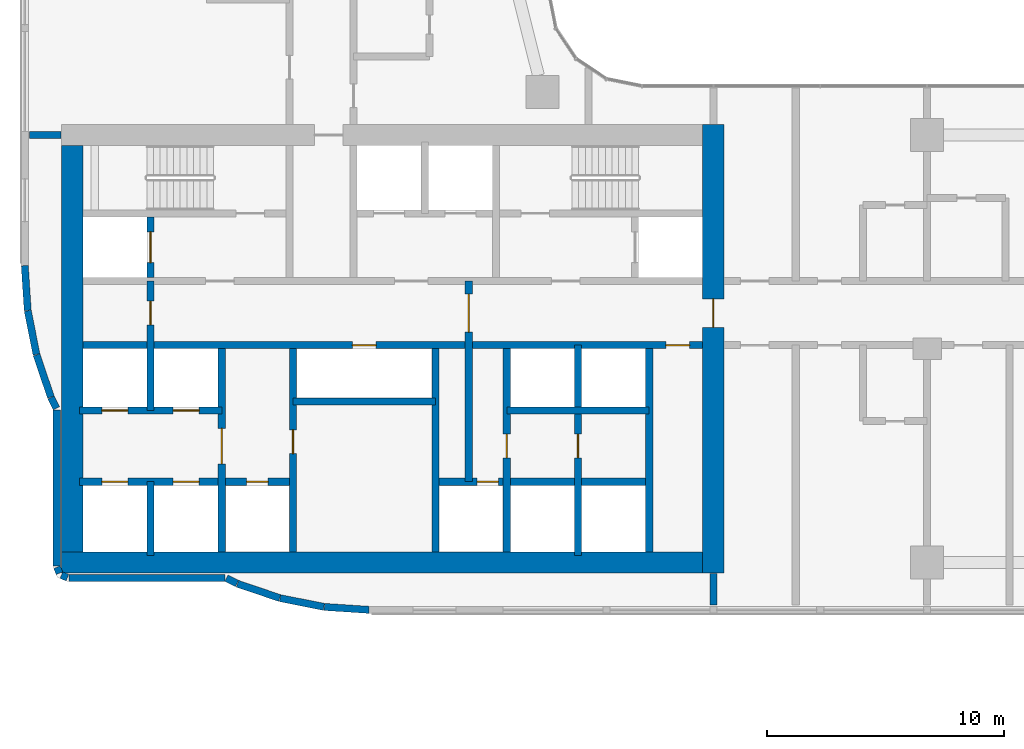
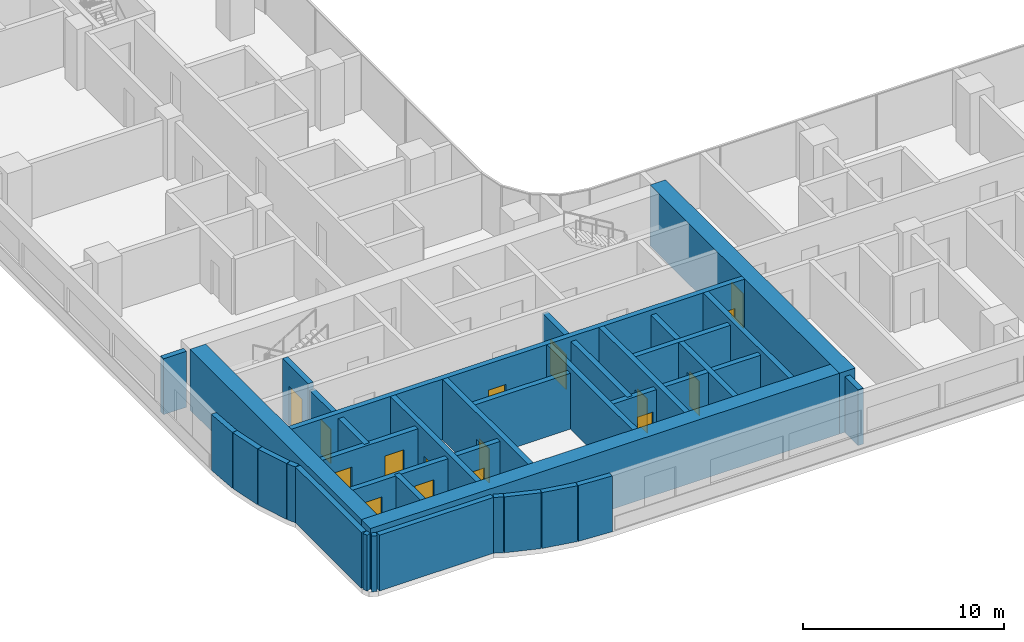
# One storey, part 16 of 32: 33 walls, 16 doors, 16 openings.
"""IFC4 building model written with IfcOpenShell, lengths in metres."""

from ifc_helpers import new_model, si_unit, direction, frame, frame_2d, origin, place, context, subcontext, project, spatial, rectangle, extrude, material, layer, layer_set, type_object, element, fill, save


model = new_model("IFC4")

# Units and contexts
model_context = context("Model", 3, precision=1e-05, world=origin(), true_north=direction((0.0, 1.0)))
body_context = subcontext(model_context, "Body", "Model", "MODEL_VIEW")
ifc_project = project(units=[si_unit("LENGTHUNIT", "METRE"), si_unit("AREAUNIT", "SQUARE_METRE"), si_unit("VOLUMEUNIT", "CUBIC_METRE"), si_unit("PLANEANGLEUNIT", "RADIAN"), si_unit("MASSUNIT", "GRAM", prefix="KILO")], contexts=[model_context])

# Site, building, storey
site_placement = place(None, origin())
site = spatial("IfcSite", under=ifc_project, at=site_placement, CompositionType="ELEMENT")
building_placement = place(site_placement, origin())
building = spatial("IfcBuilding", under=site, at=building_placement, Name="Ogive Portal Towers", CompositionType="ELEMENT")
storey_placement = place(building_placement, frame((0.0, 0.0, 59.39990234375)))
storey = spatial("IfcBuildingStorey", under=building, at=storey_placement, Name="L13", CompositionType="ELEMENT", Elevation=59.39990234375)

# Wall, opening, door
ifc_material_1 = material(Name="Concrete C60/75", Category="concrete")
ifc_layer_1 = layer(ifc_material_1, 0.300048828125)
ifc_layer_set_1 = layer_set([ifc_layer_1], Name="CORE WALL 300 C60")
wall_type_1 = type_object("IfcWallType", Name="CORE WALL 300 C60", PredefinedType="SHEAR", material=ifc_layer_set_1)
wall_1_placement = place(storey_placement, frame((37.800048828125, 21.949951171875, 0.0), z_axis=(0.0, 0.0, 1.0), x_axis=(0.0, 1.0, 0.0)))
wall_1 = element("IfcWall", 1, at=wall_1_placement, inside=storey, type_object=wall_type_1, Name="Core wall X1 L13", PredefinedType="SHEAR", context=body_context, shape_type="SweptSolid", body=[
    extrude(rectangle(XDim=8.550048828125, YDim=0.300048828125, at=frame_2d((4.27490234375, 0.0))), origin(), (0.0, 0.0, 1.0), 3.7001953125),
])
opening_1_placement = place(wall_1_placement, frame((3.699951171875, 0.0, 0.0)))
opening_1 = element("IfcOpeningElement", 2, at=opening_1_placement, cuts=wall_1, Name="Opening D03-002", PredefinedType="OPENING", context=body_context, shape_type="SweptSolid", body=[
    extrude(rectangle(XDim=1.5, YDim=2.10009765625, at=frame_2d((0.75, 1.050048828125))), frame((0.0, 0.16015625, 0.0), z_axis=(0.0, -1.0, 0.0), x_axis=(1.0, 0.0, 0.0)), (0.0, 0.0, 1.0), 0.320068359375),
])
ifc_material_2 = material(Name="Steel fire door", Category="steel")
door_type_1 = type_object("IfcDoorType", Name="DT-SWING-1500x2100-FD90S", OperationType="SINGLE_SWING_LEFT", PredefinedType="DOOR", material=ifc_material_2)
door_1_placement = place(opening_1_placement, origin())
door_1 = element("IfcDoor", 3, at=door_1_placement, inside=storey, type_object=door_type_1, Name="Door D03-002", OperationType="SINGLE_SWING_LEFT", OverallHeight=2.10009765625, OverallWidth=1.5, PredefinedType="DOOR", context=body_context, shape_type="SweptSolid", body=[
    extrude(rectangle(XDim=1.5, YDim=2.10009765625, at=frame_2d((0.75, 1.050048828125))), frame((0.0, 0.02490234375, 0.0), z_axis=(0.0, -1.0, 0.0), x_axis=(1.0, 0.0, 0.0)), (0.0, 0.0, 1.0), 0.050048828125),
])
fill(opening_1, door_1)

wall_2_placement = place(storey_placement, frame((40.800048828125, 21.949951171875, 0.0), z_axis=(0.0, 0.0, 1.0), x_axis=(0.0, 1.0, 0.0)))
wall_2 = element("IfcWall", 4, at=wall_2_placement, inside=storey, type_object=wall_type_1, Name="Core wall X2 L13", PredefinedType="SHEAR", context=body_context, shape_type="SweptSolid", body=[
    extrude(rectangle(XDim=8.550048828125, YDim=0.300048828125, at=frame_2d((4.27490234375, 0.0))), origin(), (0.0, 0.0, 1.0), 3.7001953125),
])
opening_2_placement = place(wall_2_placement, frame((4.137939453125, 0.0, 0.0)))
opening_2 = element("IfcOpeningElement", 5, at=opening_2_placement, cuts=wall_2, Name="Opening D03-022", PredefinedType="OPENING", context=body_context, shape_type="SweptSolid", body=[
    extrude(rectangle(XDim=1.0, YDim=2.10009765625, at=frame_2d((0.5, 1.050048828125))), frame((0.0, 0.16015625, 0.0), z_axis=(0.0, -1.0, 0.0), x_axis=(1.0, 0.0, 0.0)), (0.0, 0.0, 1.0), 0.320068359375),
])
door_type_2 = type_object("IfcDoorType", Name="DT-SWING-1000x2100-FD90S", OperationType="SINGLE_SWING_LEFT", PredefinedType="DOOR", material=ifc_material_2)
door_2_placement = place(opening_2_placement, origin())
door_2 = element("IfcDoor", 6, at=door_2_placement, inside=storey, type_object=door_type_2, Name="Door D03-022", OperationType="SINGLE_SWING_RIGHT", OverallHeight=2.10009765625, OverallWidth=1.0, PredefinedType="DOOR", context=body_context, shape_type="SweptSolid", body=[
    extrude(rectangle(XDim=1.0, YDim=2.10009765625, at=frame_2d((0.5, 1.050048828125))), frame((0.0, 0.02490234375, 0.0), z_axis=(0.0, -1.0, 0.0), x_axis=(1.0, 0.0, 0.0)), (0.0, 0.0, 1.0), 0.050048828125),
])
fill(opening_2, door_2)

# Wall
wall_3_placement = place(storey_placement, frame((46.800048828125, 21.949951171875, 0.0), z_axis=(0.0, 0.0, 1.0), x_axis=(0.0, 1.0, 0.0)))
element("IfcWall", 7, at=wall_3_placement, inside=storey, type_object=wall_type_1, Name="Core wall X3 L13", PredefinedType="SHEAR", context=body_context, shape_type="SweptSolid", body=[
    extrude(rectangle(XDim=8.550048828125, YDim=0.300048828125, at=frame_2d((4.27490234375, 0.0))), origin(), (0.0, 0.0, 1.0), 3.7001953125),
])

# Wall, opening, door
wall_4_placement = place(storey_placement, frame((49.800048828125, 21.949951171875, 0.0), z_axis=(0.0, 0.0, 1.0), x_axis=(0.0, 1.0, 0.0)))
wall_4 = element("IfcWall", 8, at=wall_4_placement, inside=storey, type_object=wall_type_1, Name="Core wall X4 L13", PredefinedType="SHEAR", context=body_context, shape_type="SweptSolid", body=[
    extrude(rectangle(XDim=8.550048828125, YDim=0.300048828125, at=frame_2d((4.27490234375, 0.0))), origin(), (0.0, 0.0, 1.0), 3.7001953125),
])
opening_3_placement = place(wall_4_placement, frame((3.949951171875, 0.0, 0.0)))
opening_3 = element("IfcOpeningElement", 9, at=opening_3_placement, cuts=wall_4, Name="Opening D03-023", PredefinedType="OPENING", context=body_context, shape_type="SweptSolid", body=[
    extrude(rectangle(XDim=1.0, YDim=2.10009765625, at=frame_2d((0.5, 1.050048828125))), frame((0.0, 0.16015625, 0.0), z_axis=(0.0, -1.0, 0.0), x_axis=(1.0, 0.0, 0.0)), (0.0, 0.0, 1.0), 0.320068359375),
])
door_3_placement = place(opening_3_placement, origin())
door_3 = element("IfcDoor", 10, at=door_3_placement, inside=storey, type_object=door_type_2, Name="Door D03-023", OperationType="SINGLE_SWING_LEFT", OverallHeight=2.10009765625, OverallWidth=1.0, PredefinedType="DOOR", context=body_context, shape_type="SweptSolid", body=[
    extrude(rectangle(XDim=1.0, YDim=2.10009765625, at=frame_2d((0.5, 1.050048828125))), frame((0.0, 0.02490234375, 0.0), z_axis=(0.0, -1.0, 0.0), x_axis=(1.0, 0.0, 0.0)), (0.0, 0.0, 1.0), 0.050048828125),
])
fill(opening_3, door_3)

# Wall
wall_5_placement = place(storey_placement, frame((55.800048828125, 21.949951171875, 0.0), z_axis=(0.0, 0.0, 1.0), x_axis=(0.0, 1.0, 0.0)))
element("IfcWall", 11, at=wall_5_placement, inside=storey, type_object=wall_type_1, Name="Core wall X5 L13", PredefinedType="SHEAR", context=body_context, shape_type="SweptSolid", body=[
    extrude(rectangle(XDim=8.550048828125, YDim=0.300048828125, at=frame_2d((4.27490234375, 0.0))), origin(), (0.0, 0.0, 1.0), 3.7001953125),
])

# Wall, openings, doors
wall_6_placement = place(storey_placement, frame((31.949951171875, 30.64990234375, 0.0), z_axis=(0.0, 0.0, 1.0), x_axis=(1.0, 0.0, 0.0)))
wall_6 = element("IfcWall", 12, at=wall_6_placement, inside=storey, type_object=wall_type_1, Name="Core wall Y1 L13", PredefinedType="SHEAR", context=body_context, shape_type="SweptSolid", body=[
    extrude(rectangle(XDim=26.10009765625, YDim=0.300048828125, at=frame_2d((13.050048828125, 0.0))), origin(), (0.0, 0.0, 1.0), 3.7001953125),
])
opening_4_placement = place(wall_6_placement, frame((24.550048828125, 0.0, 0.0)))
opening_4 = element("IfcOpeningElement", 13, at=opening_4_placement, cuts=wall_6, Name="Opening D03-010", PredefinedType="OPENING", context=body_context, shape_type="SweptSolid", body=[
    extrude(rectangle(XDim=1.0, YDim=2.10009765625, at=frame_2d((0.5, 1.050048828125))), frame((0.0, 0.16015625, 0.0), z_axis=(0.0, -1.0, 0.0), x_axis=(1.0, 0.0, 0.0)), (0.0, 0.0, 1.0), 0.320068359375),
])
opening_5_placement = place(wall_6_placement, frame((11.35009765625, 0.0, 0.0)))
opening_5 = element("IfcOpeningElement", 14, at=opening_5_placement, cuts=wall_6, Name="Opening D03-021", PredefinedType="OPENING", context=body_context, shape_type="SweptSolid", body=[
    extrude(rectangle(XDim=1.0, YDim=2.10009765625, at=frame_2d((0.5, 1.050048828125))), frame((0.0, 0.16015625, 0.0), z_axis=(0.0, -1.0, 0.0), x_axis=(1.0, 0.0, 0.0)), (0.0, 0.0, 1.0), 0.320068359375),
])
door_4_placement = place(opening_4_placement, origin())
door_4 = element("IfcDoor", 15, at=door_4_placement, inside=storey, type_object=door_type_2, Name="Door D03-010", OperationType="SINGLE_SWING_LEFT", OverallHeight=2.10009765625, OverallWidth=1.0, PredefinedType="DOOR", context=body_context, shape_type="SweptSolid", body=[
    extrude(rectangle(XDim=1.0, YDim=2.10009765625, at=frame_2d((0.5, 1.050048828125))), frame((0.0, 0.02490234375, 0.0), z_axis=(0.0, -1.0, 0.0), x_axis=(1.0, 0.0, 0.0)), (0.0, 0.0, 1.0), 0.050048828125),
])
fill(opening_4, door_4)
door_5_placement = place(opening_5_placement, origin())
door_5 = element("IfcDoor", 16, at=door_5_placement, inside=storey, type_object=door_type_2, Name="Riser access door D03-021", OperationType="SINGLE_SWING_LEFT", OverallHeight=2.10009765625, OverallWidth=1.0, PredefinedType="DOOR", context=body_context, shape_type="SweptSolid", body=[
    extrude(rectangle(XDim=1.0, YDim=2.10009765625, at=frame_2d((0.5, 1.050048828125))), frame((0.0, 0.02490234375, 0.0), z_axis=(0.0, -1.0, 0.0), x_axis=(1.0, 0.0, 0.0)), (0.0, 0.0, 1.0), 0.050048828125),
])
fill(opening_5, door_5)

# Wall, opening, door
wall_7_placement = place(storey_placement, frame((34.800048828125, 33.5, 0.0), z_axis=(0.0, 0.0, 1.0), x_axis=(0.0, 1.0, 0.0)))
wall_7 = element("IfcWall", 17, at=wall_7_placement, inside=storey, type_object=wall_type_1, Name="Core wall X8 L13", PredefinedType="SHEAR", context=body_context, shape_type="SweptSolid", body=[
    extrude(rectangle(XDim=2.550048828125, YDim=0.300048828125, at=frame_2d((1.27490234375, 0.0))), origin(), (0.0, 0.0, 1.0), 3.7001953125),
])
opening_6_placement = place(wall_7_placement, frame((0.625, 0.0, 0.0)))
opening_6 = element("IfcOpeningElement", 18, at=opening_6_placement, cuts=wall_7, Name="Opening D03-019", PredefinedType="OPENING", context=body_context, shape_type="SweptSolid", body=[
    extrude(rectangle(XDim=1.300048828125, YDim=2.39990234375, at=frame_2d((0.64990234375, 1.199951171875))), frame((0.0, 0.16015625, 0.0), z_axis=(0.0, -1.0, 0.0), x_axis=(1.0, 0.0, 0.0)), (0.0, 0.0, 1.0), 0.320068359375),
])
ifc_material_3 = material(Name="Stainless steel", Category="steel")
door_type_3 = type_object("IfcDoorType", Name="DT-LD-1300x2400", OperationType="SLIDING_TO_LEFT", PredefinedType="DOOR", material=ifc_material_3)
door_6_placement = place(opening_6_placement, origin())
door_6 = element("IfcDoor", 19, at=door_6_placement, inside=storey, type_object=door_type_3, Name="Door D03-019", OperationType="SLIDING_TO_LEFT", OverallHeight=2.39990234375, OverallWidth=1.300048828125, PredefinedType="DOOR", context=body_context, shape_type="SweptSolid", body=[
    extrude(rectangle(XDim=1.300048828125, YDim=2.39990234375, at=frame_2d((0.64990234375, 1.199951171875))), frame((0.0, 0.02490234375, 0.0), z_axis=(0.0, -1.0, 0.0), x_axis=(1.0, 0.0, 0.0)), (0.0, 0.0, 1.0), 0.050048828125),
])
fill(opening_6, door_6)

# Walls
ifc_layer_2 = layer(ifc_material_1, 0.89990234375)
ifc_layer_set_2 = layer_set([ifc_layer_2], Name="CORE WALL 900 C60")
wall_type_2 = type_object("IfcWallType", Name="CORE WALL 900 C60", PredefinedType="SHEAR", material=ifc_layer_set_2)
wall_8_placement = place(storey_placement, frame((31.5, 21.949951171875, 0.0), z_axis=(0.0, 0.0, 1.0), x_axis=(0.0, 1.0, 0.0)))
element("IfcWall", 20, at=wall_8_placement, inside=storey, type_object=wall_type_2, Name="Core wall W L13", PredefinedType="SHEAR", context=body_context, shape_type="SweptSolid", body=[
    extrude(rectangle(XDim=17.10009765625, YDim=0.89990234375, at=frame_2d((8.550048828125, 0.0))), origin(), (0.0, 0.0, 1.0), 3.7001953125),
])
wall_9_placement = place(storey_placement, frame((31.050048828125, 21.5, 0.0), z_axis=(0.0, 0.0, 1.0), x_axis=(1.0, 0.0, 0.0)))
element("IfcWall", 21, at=wall_9_placement, inside=storey, type_object=wall_type_2, Name="Core wall S L13", PredefinedType="SHEAR", context=body_context, shape_type="SweptSolid", body=[
    extrude(rectangle(XDim=27.0, YDim=0.89990234375, at=frame_2d((13.5, 0.0))), origin(), (0.0, 0.0, 1.0), 3.7001953125),
])

# Wall, opening, door
wall_10_placement = place(storey_placement, frame((58.5, 21.050048828125, 0.0), z_axis=(0.0, 0.0, 1.0), x_axis=(0.0, 1.0, 0.0)))
wall_10 = element("IfcWall", 22, at=wall_10_placement, inside=storey, type_object=wall_type_2, Name="Core wall E L13", PredefinedType="SHEAR", context=body_context, shape_type="SweptSolid", body=[
    extrude(rectangle(XDim=18.89990234375, YDim=0.89990234375, at=frame_2d((9.449951171875, 0.0))), origin(), (0.0, 0.0, 1.0), 3.7001953125),
])
opening_7_placement = place(wall_10_placement, frame((10.35009765625, 0.0, 0.0)))
opening_7 = element("IfcOpeningElement", 23, at=opening_7_placement, cuts=wall_10, Name="Opening D03-011", PredefinedType="OPENING", context=body_context, shape_type="SweptSolid", body=[
    extrude(rectangle(XDim=1.199951171875, YDim=2.10009765625, at=frame_2d((0.60009765625, 1.050048828125))), frame((0.0, 0.4599609375, 0.0), z_axis=(0.0, -1.0, 0.0), x_axis=(1.0, 0.0, 0.0)), (0.0, 0.0, 1.0), 0.919921875),
])
door_type_4 = type_object("IfcDoorType", Name="DT-SWING-1200x2100-FD90S", OperationType="SINGLE_SWING_LEFT", PredefinedType="DOOR", material=ifc_material_2)
door_7_placement = place(opening_7_placement, origin())
door_7 = element("IfcDoor", 24, at=door_7_placement, inside=storey, type_object=door_type_4, Name="Door D03-011", OperationType="SINGLE_SWING_LEFT", OverallHeight=2.10009765625, OverallWidth=1.199951171875, PredefinedType="DOOR", context=body_context, shape_type="SweptSolid", body=[
    extrude(rectangle(XDim=1.199951171875, YDim=2.10009765625, at=frame_2d((0.60009765625, 1.050048828125))), frame((0.0, 0.02490234375, 0.0), z_axis=(0.0, -1.0, 0.0), x_axis=(1.0, 0.0, 0.0)), (0.0, 0.0, 1.0), 0.050048828125),
])
fill(opening_7, door_7)

# Walls
ifc_material_4 = material(Name="Limestone cladding on lightweight block wall", Category="masonry")
ifc_layer_3 = layer(ifc_material_4, 0.300048828125)
ifc_layer_set_3 = layer_set([ifc_layer_3], Name="EXTERNAL WALL 300 STONE")
wall_type_3 = type_object("IfcWallType", Name="EXTERNAL WALL 300 STONE", PredefinedType="SOLIDWALL", material=ifc_layer_set_3)
wall_11_placement = place(storey_placement, frame((30.85009765625, 27.9287109375, 0.0), z_axis=(0.0, 0.0, 1.0), x_axis=(0.0, -1.0, 0.0)))
element("IfcWall", 25, at=wall_11_placement, inside=storey, type_object=wall_type_3, Name="A:L13:f00:r0:wall", PredefinedType="SOLIDWALL", context=body_context, shape_type="SweptSolid", body=[
    extrude(rectangle(XDim=6.569091796875, YDim=0.300048828125, at=frame_2d((3.28466796875, 0.0))), origin(), (0.0, 0.0, 1.0), 3.400146484375),
])
for number, where, z_axis, x_axis, name in (
    (26, (30.861328125, 21.30224609375, 0.0), (0.0, 0.0, 1.0), (0.38297812142, -0.923757413239, 0.0), "A:L13:f01:r0:wall"),
    (27, (31.0478515625, 20.966796875, 0.0), (0.0, 0.0, 1.0), (0.923757413239, -0.38297812142, 0.0), "A:L13:f02:r0:wall"),
):
    element("IfcWall", number, at=place(storey_placement, frame(where, z_axis=z_axis, x_axis=x_axis)), inside=storey, type_object=wall_type_3, Name=name, PredefinedType="SOLIDWALL", context=body_context, shape_type="SweptSolid", body=[
        extrude(rectangle(XDim=0.275390625, YDim=0.300048828125, at=frame_2d((0.1376953125, 0.0))), origin(), (0.0, 0.0, 1.0), 3.400146484375),
    ])
wall_12_placement = place(storey_placement, frame((31.359619140625, 20.85009765625, 0.0), z_axis=(0.0, 0.0, 1.0), x_axis=(1.0, 0.0, 0.0)))
element("IfcWall", 28, at=wall_12_placement, inside=storey, type_object=wall_type_3, Name="A:L13:f03:r0:wall", PredefinedType="SOLIDWALL", context=body_context, shape_type="SweptSolid", body=[
    extrude(rectangle(XDim=6.569091796875, YDim=0.300048828125, at=frame_2d((3.28466796875, 0.0))), origin(), (0.0, 0.0, 1.0), 3.400146484375),
])
wall_13_placement = place(storey_placement, frame((37.9951171875, 20.83447265625, 0.0), z_axis=(0.0, 0.0, 1.0), x_axis=(0.896947675211, -0.442136707291, 0.0)))
element("IfcWall", 29, at=wall_13_placement, inside=storey, type_object=wall_type_3, Name="A:L13:f04:r0:wall", PredefinedType="SOLIDWALL", context=body_context, shape_type="SweptSolid", body=[
    extrude(rectangle(XDim=0.500732421875, YDim=0.300048828125, at=frame_2d((0.25048828125, 0.0))), origin(), (0.0, 0.0, 1.0), 3.400146484375),
])
for number, where, z_axis, x_axis, name in (
    (30, (38.46240234375, 20.60546875, 0.0), (0.0, 0.0, 1.0), (0.946951833826, -0.321375519312, 0.0), "A:L13:f05:r0:wall"),
    (31, (40.258056640625, 19.997314453125, 0.0), (0.0, 0.0, 1.0), (0.980795273054, -0.195040078842, 0.0), "A:L13:f06:r0:wall"),
):
    element("IfcWall", number, at=place(storey_placement, frame(where, z_axis=z_axis, x_axis=x_axis)), inside=storey, type_object=wall_type_3, Name=name, PredefinedType="SOLIDWALL", context=body_context, shape_type="SweptSolid", body=[
        extrude(rectangle(XDim=1.87646484375, YDim=0.300048828125, at=frame_2d((0.938232421875, 0.0))), origin(), (0.0, 0.0, 1.0), 3.400146484375),
    ])
for number, where, z_axis, x_axis, name in (
    (32, (42.117919921875, 19.628662109375, 0.0), (0.0, 0.0, 1.0), (0.997861241975, -0.065367742534, 0.0), "A:L13:f07:r0:wall"),
    (33, (29.50537109375, 34.0, 0.0), (0.0, 0.0, 1.0), (0.065367742534, -0.997861241975, 0.0), "A:L13:f29:r0:wall"),
):
    element("IfcWall", number, at=place(storey_placement, frame(where, z_axis=z_axis, x_axis=x_axis)), inside=storey, type_object=wall_type_3, Name=name, PredefinedType="SOLIDWALL", context=body_context, shape_type="SweptSolid", body=[
        extrude(rectangle(XDim=1.88623046875, YDim=0.300048828125, at=frame_2d((0.943115234375, 0.0))), origin(), (0.0, 0.0, 1.0), 3.400146484375),
    ])
for number, where, z_axis, x_axis, name in (
    (34, (29.63134765625, 32.098388671875, 0.0), (0.0, 0.0, 1.0), (0.195040078842, -0.980795273054, 0.0), "A:L13:f30:r0:wall"),
    (35, (30.00244140625, 30.2392578125, 0.0), (0.0, 0.0, 1.0), (0.321375519312, -0.946951833826, 0.0), "A:L13:f31:r0:wall"),
):
    element("IfcWall", number, at=place(storey_placement, frame(where, z_axis=z_axis, x_axis=x_axis)), inside=storey, type_object=wall_type_3, Name=name, PredefinedType="SOLIDWALL", context=body_context, shape_type="SweptSolid", body=[
        extrude(rectangle(XDim=1.87646484375, YDim=0.300048828125, at=frame_2d((0.938232421875, 0.0))), origin(), (0.0, 0.0, 1.0), 3.400146484375),
    ])
wall_14_placement = place(storey_placement, frame((30.613037109375, 28.4443359375, 0.0), z_axis=(0.0, 0.0, 1.0), x_axis=(0.442136707291, -0.896947675211, 0.0)))
element("IfcWall", 36, at=wall_14_placement, inside=storey, type_object=wall_type_3, Name="A:L13:f32:r0:wall", PredefinedType="SOLIDWALL", context=body_context, shape_type="SweptSolid", body=[
    extrude(rectangle(XDim=0.500732421875, YDim=0.300048828125, at=frame_2d((0.25048828125, 0.0))), origin(), (0.0, 0.0, 1.0), 3.400146484375),
])
ifc_material_5 = material(Name="Gypsum board partition on steel studs", Category="steel")
ifc_layer_4 = layer(ifc_material_5, 0.300048828125)
ifc_layer_set_4 = layer_set([ifc_layer_4], Name="WT-PART-300")
wall_type_4 = type_object("IfcWallType", Name="WT-PART-300", PredefinedType="PARTITIONING", material=ifc_layer_set_4)
wall_15_placement = place(storey_placement, frame((40.800048828125, 28.277099609375, 0.0), z_axis=(0.0, 0.0, 1.0), x_axis=(1.0, 0.0, 0.0)))
element("IfcWall", 37, at=wall_15_placement, inside=storey, type_object=wall_type_4, Name="Wall pw:005:L13", PredefinedType="PARTITIONING", context=body_context, shape_type="SweptSolid", body=[
    extrude(rectangle(XDim=6.0, YDim=0.300048828125, at=frame_2d((3.0, 0.0))), origin(), (0.0, 0.0, 1.0), 3.400146484375),
])

# Wall, opening, door
wall_16_placement = place(storey_placement, frame((48.199951171875, 24.89990234375, 0.0), z_axis=(0.0, 0.0, 1.0), x_axis=(0.0, 1.0, 0.0)))
wall_16 = element("IfcWall", 38, at=wall_16_placement, inside=storey, type_object=wall_type_4, Name="Wall pw:010:L13", PredefinedType="PARTITIONING", context=body_context, shape_type="SweptSolid", body=[
    extrude(rectangle(XDim=8.4501953125, YDim=0.300048828125, at=frame_2d((4.22509765625, 0.0))), origin(), (0.0, 0.0, 1.0), 3.400146484375),
])
opening_8_placement = place(wall_16_placement, frame((6.300048828125, 0.0, 0.0)))
opening_8 = element("IfcOpeningElement", 39, at=opening_8_placement, cuts=wall_16, Name="Opening D03-001", PredefinedType="OPENING", context=body_context, shape_type="SweptSolid", body=[
    extrude(rectangle(XDim=1.60009765625, YDim=2.10009765625, at=frame_2d((0.800048828125, 1.050048828125))), frame((0.0, 0.16015625, 0.0), z_axis=(0.0, -1.0, 0.0), x_axis=(1.0, 0.0, 0.0)), (0.0, 0.0, 1.0), 0.320068359375),
])
door_type_5 = type_object("IfcDoorType", Name="DT-SWING-1600x2100-FD60S", OperationType="SINGLE_SWING_LEFT", PredefinedType="DOOR", material=ifc_material_2)
door_8_placement = place(opening_8_placement, origin())
door_8 = element("IfcDoor", 40, at=door_8_placement, inside=storey, type_object=door_type_5, Name="Door D03-001", OperationType="SINGLE_SWING_LEFT", OverallHeight=2.10009765625, OverallWidth=1.60009765625, PredefinedType="DOOR", context=body_context, shape_type="SweptSolid", body=[
    extrude(rectangle(XDim=1.60009765625, YDim=2.10009765625, at=frame_2d((0.800048828125, 1.050048828125))), frame((0.0, 0.02490234375, 0.0), z_axis=(0.0, -1.0, 0.0), x_axis=(1.0, 0.0, 0.0)), (0.0, 0.0, 1.0), 0.050048828125),
])
fill(opening_8, door_8)

# Walls
ifc_layer_5 = layer(ifc_material_5, 0.300048828125)
ifc_layer_set_5 = layer_set([ifc_layer_5], Name="WT-PART-300-EI 60")
wall_type_5 = type_object("IfcWallType", Name="WT-PART-300-EI 60", PredefinedType="PARTITIONING", material=ifc_layer_set_5)
for number, where, z_axis, x_axis, name in (
    (41, (29.705078125, 39.5, 0.0), (0.0, 0.0, 1.0), (1.0, 0.0, 0.0), "Wall L13:w013"),
    (42, (58.5, 19.705078125, 0.0), (0.0, 0.0, 1.0), (0.0, 1.0, 0.0), "Wall L13:w043"),
):
    element("IfcWall", number, at=place(storey_placement, frame(where, z_axis=z_axis, x_axis=x_axis)), inside=storey, type_object=wall_type_5, Name=name, PredefinedType="PARTITIONING", context=body_context, shape_type="SweptSolid", body=[
        extrude(rectangle(XDim=1.324951171875, YDim=0.300048828125, at=frame_2d((0.66259765625, 0.0))), origin(), (0.0, 0.0, 1.0), 3.400146484375),
    ])

# Wall, openings, doors
ifc_material_6 = material(Name="Concrete C40/50", Category="concrete")
ifc_layer_6 = layer(ifc_material_6, 0.300048828125)
ifc_layer_set_6 = layer_set([ifc_layer_6], Name="WT-SHAFT-300")
wall_type_6 = type_object("IfcWallType", Name="WT-SHAFT-300", PredefinedType="SOLIDWALL", material=ifc_layer_set_6)
wall_17_placement = place(storey_placement, frame((31.800048828125, 24.89990234375, 0.0), z_axis=(0.0, 0.0, 1.0), x_axis=(1.0, 0.0, 0.0)))
wall_17 = element("IfcWall", 43, at=wall_17_placement, inside=storey, type_object=wall_type_6, Name="Wall pw:001:L13", PredefinedType="SOLIDWALL", context=body_context, shape_type="SweptSolid", body=[
    extrude(rectangle(XDim=9.0, YDim=0.300048828125, at=frame_2d((4.5, 0.0))), origin(), (0.0, 0.0, 1.0), 3.400146484375),
])
opening_9_placement = place(wall_17_placement, frame((7.050048828125, 0.0, 0.0)))
opening_9 = element("IfcOpeningElement", 44, at=opening_9_placement, cuts=wall_17, Name="Opening D03-008", PredefinedType="OPENING", context=body_context, shape_type="SweptSolid", body=[
    extrude(rectangle(XDim=0.89990234375, YDim=2.10009765625, at=frame_2d((0.449951171875, 1.050048828125))), frame((0.0, 0.16015625, 0.0), z_axis=(0.0, -1.0, 0.0), x_axis=(1.0, 0.0, 0.0)), (0.0, 0.0, 1.0), 0.320068359375),
])
opening_10_placement = place(wall_17_placement, frame((0.949951171875, 0.0, 0.0)))
opening_10 = element("IfcOpeningElement", 45, at=opening_10_placement, cuts=wall_17, Name="Opening D03-013", PredefinedType="OPENING", context=body_context, shape_type="SweptSolid", body=[
    extrude(rectangle(XDim=1.10009765625, YDim=2.39990234375, at=frame_2d((0.550048828125, 1.199951171875))), frame((0.0, 0.16015625, 0.0), z_axis=(0.0, -1.0, 0.0), x_axis=(1.0, 0.0, 0.0)), (0.0, 0.0, 1.0), 0.320068359375),
])
opening_11_placement = place(wall_17_placement, frame((3.949951171875, 0.0, 0.0)))
opening_11 = element("IfcOpeningElement", 46, at=opening_11_placement, cuts=wall_17, Name="Opening D03-014", PredefinedType="OPENING", context=body_context, shape_type="SweptSolid", body=[
    extrude(rectangle(XDim=1.10009765625, YDim=2.39990234375, at=frame_2d((0.550048828125, 1.199951171875))), frame((0.0, 0.16015625, 0.0), z_axis=(0.0, -1.0, 0.0), x_axis=(1.0, 0.0, 0.0)), (0.0, 0.0, 1.0), 0.320068359375),
])
door_type_6 = type_object("IfcDoorType", Name="DT-LD-1100x2400", OperationType="SLIDING_TO_LEFT", PredefinedType="DOOR", material=ifc_material_3)
door_9_placement = place(opening_10_placement, origin())
door_9 = element("IfcDoor", 47, at=door_9_placement, inside=storey, type_object=door_type_6, Name="Door D03-013", OperationType="SLIDING_TO_LEFT", OverallHeight=2.39990234375, OverallWidth=1.10009765625, PredefinedType="DOOR", context=body_context, shape_type="SweptSolid", body=[
    extrude(rectangle(XDim=1.10009765625, YDim=2.39990234375, at=frame_2d((0.550048828125, 1.199951171875))), frame((0.0, 0.02490234375, 0.0), z_axis=(0.0, -1.0, 0.0), x_axis=(1.0, 0.0, 0.0)), (0.0, 0.0, 1.0), 0.050048828125),
])
fill(opening_10, door_9)
door_10_placement = place(opening_11_placement, origin())
door_10 = element("IfcDoor", 48, at=door_10_placement, inside=storey, type_object=door_type_6, Name="Door D03-014", OperationType="SLIDING_TO_LEFT", OverallHeight=2.39990234375, OverallWidth=1.10009765625, PredefinedType="DOOR", context=body_context, shape_type="SweptSolid", body=[
    extrude(rectangle(XDim=1.10009765625, YDim=2.39990234375, at=frame_2d((0.550048828125, 1.199951171875))), frame((0.0, 0.02490234375, 0.0), z_axis=(0.0, -1.0, 0.0), x_axis=(1.0, 0.0, 0.0)), (0.0, 0.0, 1.0), 0.050048828125),
])
fill(opening_11, door_10)
door_type_7 = type_object("IfcDoorType", Name="DT-SWING-900x2100-FD90S", OperationType="SINGLE_SWING_LEFT", PredefinedType="DOOR", material=ifc_material_2)
door_11_placement = place(opening_9_placement, origin())
door_11 = element("IfcDoor", 49, at=door_11_placement, inside=storey, type_object=door_type_7, Name="Riser access door D03-008", OperationType="SINGLE_SWING_LEFT", OverallHeight=2.10009765625, OverallWidth=0.89990234375, PredefinedType="DOOR", context=body_context, shape_type="SweptSolid", body=[
    extrude(rectangle(XDim=0.89990234375, YDim=2.10009765625, at=frame_2d((0.449951171875, 1.050048828125))), frame((0.0, 0.02490234375, 0.0), z_axis=(0.0, -1.0, 0.0), x_axis=(1.0, 0.0, 0.0)), (0.0, 0.0, 1.0), 0.050048828125),
])
fill(opening_9, door_11)

# Wall, opening, door
wall_18_placement = place(storey_placement, frame((46.800048828125, 24.89990234375, 0.0), z_axis=(0.0, 0.0, 1.0), x_axis=(1.0, 0.0, 0.0)))
wall_18 = element("IfcWall", 50, at=wall_18_placement, inside=storey, type_object=wall_type_6, Name="Wall pw:002:L13", PredefinedType="SOLIDWALL", context=body_context, shape_type="SweptSolid", body=[
    extrude(rectangle(XDim=9.0, YDim=0.300048828125, at=frame_2d((4.5, 0.0))), origin(), (0.0, 0.0, 1.0), 3.400146484375),
])
opening_12_placement = place(wall_18_placement, frame((1.75, 0.0, 0.0)))
opening_12 = element("IfcOpeningElement", 51, at=opening_12_placement, cuts=wall_18, Name="Opening D03-009", PredefinedType="OPENING", context=body_context, shape_type="SweptSolid", body=[
    extrude(rectangle(XDim=0.89990234375, YDim=2.10009765625, at=frame_2d((0.449951171875, 1.050048828125))), frame((0.0, 0.16015625, 0.0), z_axis=(0.0, -1.0, 0.0), x_axis=(1.0, 0.0, 0.0)), (0.0, 0.0, 1.0), 0.320068359375),
])
door_12_placement = place(opening_12_placement, origin())
door_12 = element("IfcDoor", 52, at=door_12_placement, inside=storey, type_object=door_type_7, Name="Riser access door D03-009", OperationType="SINGLE_SWING_RIGHT", OverallHeight=2.10009765625, OverallWidth=0.89990234375, PredefinedType="DOOR", context=body_context, shape_type="SweptSolid", body=[
    extrude(rectangle(XDim=0.89990234375, YDim=2.10009765625, at=frame_2d((0.449951171875, 1.050048828125))), frame((0.0, 0.02490234375, 0.0), z_axis=(0.0, -1.0, 0.0), x_axis=(1.0, 0.0, 0.0)), (0.0, 0.0, 1.0), 0.050048828125),
])
fill(opening_12, door_12)

# Wall, openings, doors
wall_19_placement = place(storey_placement, frame((31.800048828125, 27.89990234375, 0.0), z_axis=(0.0, 0.0, 1.0), x_axis=(1.0, 0.0, 0.0)))
wall_19 = element("IfcWall", 53, at=wall_19_placement, inside=storey, type_object=wall_type_6, Name="Wall pw:003:L13", PredefinedType="SOLIDWALL", context=body_context, shape_type="SweptSolid", body=[
    extrude(rectangle(XDim=6.0, YDim=0.300048828125, at=frame_2d((3.0, 0.0))), origin(), (0.0, 0.0, 1.0), 3.400146484375),
])
opening_13_placement = place(wall_19_placement, frame((0.949951171875, 0.0, 0.0)))
opening_13 = element("IfcOpeningElement", 54, at=opening_13_placement, cuts=wall_19, Name="Opening D03-015", PredefinedType="OPENING", context=body_context, shape_type="SweptSolid", body=[
    extrude(rectangle(XDim=1.10009765625, YDim=2.39990234375, at=frame_2d((0.550048828125, 1.199951171875))), frame((0.0, 0.16015625, 0.0), z_axis=(0.0, -1.0, 0.0), x_axis=(1.0, 0.0, 0.0)), (0.0, 0.0, 1.0), 0.320068359375),
])
opening_14_placement = place(wall_19_placement, frame((3.949951171875, 0.0, 0.0)))
opening_14 = element("IfcOpeningElement", 55, at=opening_14_placement, cuts=wall_19, Name="Opening D03-016", PredefinedType="OPENING", context=body_context, shape_type="SweptSolid", body=[
    extrude(rectangle(XDim=1.10009765625, YDim=2.39990234375, at=frame_2d((0.550048828125, 1.199951171875))), frame((0.0, 0.16015625, 0.0), z_axis=(0.0, -1.0, 0.0), x_axis=(1.0, 0.0, 0.0)), (0.0, 0.0, 1.0), 0.320068359375),
])
door_13_placement = place(opening_13_placement, origin())
door_13 = element("IfcDoor", 56, at=door_13_placement, inside=storey, type_object=door_type_6, Name="Door D03-015", OperationType="SLIDING_TO_LEFT", OverallHeight=2.39990234375, OverallWidth=1.10009765625, PredefinedType="DOOR", context=body_context, shape_type="SweptSolid", body=[
    extrude(rectangle(XDim=1.10009765625, YDim=2.39990234375, at=frame_2d((0.550048828125, 1.199951171875))), frame((0.0, 0.02490234375, 0.0), z_axis=(0.0, -1.0, 0.0), x_axis=(1.0, 0.0, 0.0)), (0.0, 0.0, 1.0), 0.050048828125),
])
fill(opening_13, door_13)
door_14_placement = place(opening_14_placement, origin())
door_14 = element("IfcDoor", 57, at=door_14_placement, inside=storey, type_object=door_type_6, Name="Door D03-016", OperationType="SLIDING_TO_LEFT", OverallHeight=2.39990234375, OverallWidth=1.10009765625, PredefinedType="DOOR", context=body_context, shape_type="SweptSolid", body=[
    extrude(rectangle(XDim=1.10009765625, YDim=2.39990234375, at=frame_2d((0.550048828125, 1.199951171875))), frame((0.0, 0.02490234375, 0.0), z_axis=(0.0, -1.0, 0.0), x_axis=(1.0, 0.0, 0.0)), (0.0, 0.0, 1.0), 0.050048828125),
])
fill(opening_14, door_14)

# Walls
wall_20_placement = place(storey_placement, frame((49.800048828125, 27.89990234375, 0.0), z_axis=(0.0, 0.0, 1.0), x_axis=(1.0, 0.0, 0.0)))
element("IfcWall", 58, at=wall_20_placement, inside=storey, type_object=wall_type_6, Name="Wall pw:004:L13", PredefinedType="SOLIDWALL", context=body_context, shape_type="SweptSolid", body=[
    extrude(rectangle(XDim=6.0, YDim=0.300048828125, at=frame_2d((3.0, 0.0))), origin(), (0.0, 0.0, 1.0), 3.400146484375),
])
wall_21_placement = place(storey_placement, frame((34.800048828125, 21.800048828125, 0.0), z_axis=(0.0, 0.0, 1.0), x_axis=(0.0, 1.0, 0.0)))
element("IfcWall", 59, at=wall_21_placement, inside=storey, type_object=wall_type_6, Name="Wall pw:007:L13", PredefinedType="SOLIDWALL", context=body_context, shape_type="SweptSolid", body=[
    extrude(rectangle(XDim=3.099853515625, YDim=0.300048828125, at=frame_2d((1.5498046875, 0.0))), origin(), (0.0, 0.0, 1.0), 3.400146484375),
])

# Wall, opening, door
wall_22_placement = place(storey_placement, frame((34.800048828125, 27.89990234375, 0.0), z_axis=(0.0, 0.0, 1.0), x_axis=(0.0, 1.0, 0.0)))
wall_22 = element("IfcWall", 60, at=wall_22_placement, inside=storey, type_object=wall_type_6, Name="Wall pw:008:L13", PredefinedType="SOLIDWALL", context=body_context, shape_type="SweptSolid", body=[
    extrude(rectangle(XDim=5.4501953125, YDim=0.300048828125, at=frame_2d((2.72509765625, 0.0))), origin(), (0.0, 0.0, 1.0), 3.400146484375),
])
opening_15_placement = place(wall_22_placement, frame((3.60009765625, 0.0, 0.0)))
opening_15 = element("IfcOpeningElement", 61, at=opening_15_placement, cuts=wall_22, Name="Opening D03-025", PredefinedType="OPENING", context=body_context, shape_type="SweptSolid", body=[
    extrude(rectangle(XDim=1.0, YDim=2.10009765625, at=frame_2d((0.5, 1.050048828125))), frame((0.0, 0.16015625, 0.0), z_axis=(0.0, -1.0, 0.0), x_axis=(1.0, 0.0, 0.0)), (0.0, 0.0, 1.0), 0.320068359375),
])
door_15_placement = place(opening_15_placement, origin())
door_15 = element("IfcDoor", 62, at=door_15_placement, inside=storey, type_object=door_type_2, Name="Door D03-025", OperationType="SINGLE_SWING_LEFT", OverallHeight=2.10009765625, OverallWidth=1.0, PredefinedType="DOOR", context=body_context, shape_type="SweptSolid", body=[
    extrude(rectangle(XDim=1.0, YDim=2.10009765625, at=frame_2d((0.5, 1.050048828125))), frame((0.0, 0.02490234375, 0.0), z_axis=(0.0, -1.0, 0.0), x_axis=(1.0, 0.0, 0.0)), (0.0, 0.0, 1.0), 0.050048828125),
])
fill(opening_15, door_15)

wall_23_placement = place(storey_placement, frame((52.800048828125, 21.800048828125, 0.0), z_axis=(0.0, 0.0, 1.0), x_axis=(0.0, 1.0, 0.0)))
wall_23 = element("IfcWall", 63, at=wall_23_placement, inside=storey, type_object=wall_type_6, Name="Wall pw:011:L13", PredefinedType="SOLIDWALL", context=body_context, shape_type="SweptSolid", body=[
    extrude(rectangle(XDim=8.849853515625, YDim=0.300048828125, at=frame_2d((4.4248046875, 0.0))), origin(), (0.0, 0.0, 1.0), 3.400146484375),
])
opening_16_placement = place(wall_23_placement, frame((4.10009765625, 0.0, 0.0)))
opening_16 = element("IfcOpeningElement", 64, at=opening_16_placement, cuts=wall_23, Name="Opening D03-024", PredefinedType="OPENING", context=body_context, shape_type="SweptSolid", body=[
    extrude(rectangle(XDim=1.0, YDim=2.10009765625, at=frame_2d((0.5, 1.050048828125))), frame((0.0, 0.16015625, 0.0), z_axis=(0.0, -1.0, 0.0), x_axis=(1.0, 0.0, 0.0)), (0.0, 0.0, 1.0), 0.320068359375),
])
door_16_placement = place(opening_16_placement, origin())
door_16 = element("IfcDoor", 65, at=door_16_placement, inside=storey, type_object=door_type_2, Name="Door D03-024", OperationType="SINGLE_SWING_RIGHT", OverallHeight=2.10009765625, OverallWidth=1.0, PredefinedType="DOOR", context=body_context, shape_type="SweptSolid", body=[
    extrude(rectangle(XDim=1.0, YDim=2.10009765625, at=frame_2d((0.5, 1.050048828125))), frame((0.0, 0.02490234375, 0.0), z_axis=(0.0, -1.0, 0.0), x_axis=(1.0, 0.0, 0.0)), (0.0, 0.0, 1.0), 0.050048828125),
])
fill(opening_16, door_16)

save(model, "model.ifc")
